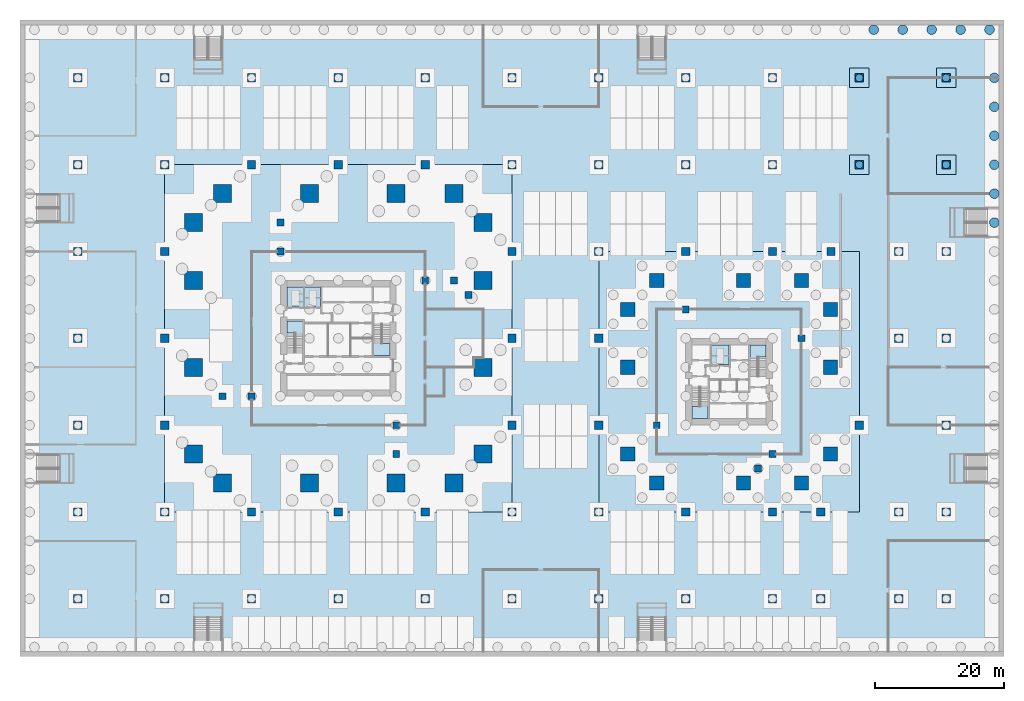
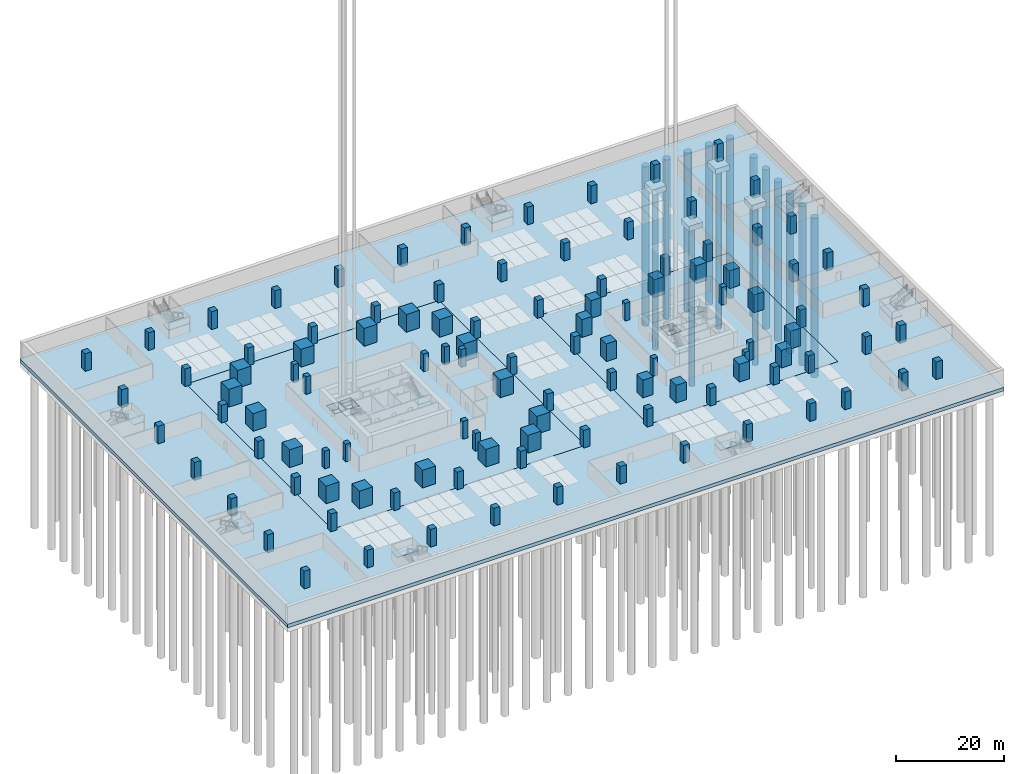
# One storey, part 3 of 40: 109 columns, 18 slabs, 15 piles, 4 footings, 12 elements without a shape of their own.
"""IFC4 building model written with IfcOpenShell, lengths in metres."""

from ifc_helpers import new_model, si_unit, direction, frame, origin, origin_2d, place, context, subcontext, project, spatial, polyline, rectangle, circle, outline, extrude, material, layer, layer_set, material_profile, profile_set, type_object, element, aggregate, save


model = new_model("IFC4")

# Units and contexts
model_context = context("Model", 3, precision=1e-05, world=origin(), true_north=direction((0.0, 1.0)))
body_context = subcontext(model_context, "Body", "Model", "MODEL_VIEW")
ifc_project = project(units=[si_unit("LENGTHUNIT", "METRE"), si_unit("AREAUNIT", "SQUARE_METRE"), si_unit("VOLUMEUNIT", "CUBIC_METRE"), si_unit("PLANEANGLEUNIT", "RADIAN"), si_unit("MASSUNIT", "GRAM", prefix="KILO")], contexts=[model_context])

# Site, building, storey
site_placement = place(None, origin())
site = spatial("IfcSite", under=ifc_project, at=site_placement, CompositionType="ELEMENT")
building_placement = place(site_placement, origin())
building = spatial("IfcBuilding", under=site, at=building_placement, Name="Altepetl Exchange Towers", CompositionType="ELEMENT")
storey_placement = place(building_placement, frame((0.0, 0.0, -8.0)))
storey = spatial("IfcBuildingStorey", under=building, at=storey_placement, Name="B2 Basement parking", CompositionType="ELEMENT", Elevation=-8.0)

# Piles
ifc_material_1 = material(Name="Concrete C35/45", Category="concrete")
ifc_material_profile_1 = material_profile(ifc_material_1, circle(Radius=0.60009765625, at=origin_2d()), Name="D1200")
ifc_profile_set_1 = profile_set([ifc_material_profile_1], Name="Concrete C35/45")
pile_type_1 = type_object("IfcPileType", Name="Bored pile D1200", PredefinedType="BORED", material=ifc_profile_set_1)
for number, where, z_axis, x_axis, name in (
    (1, (130.5, 76.5, -2.0), (0.0, 0.0, -1.0), (1.0, 0.0, 0.0), "pile:P:B2:c13050765-00"),
    (2, (130.5, 90.0, -2.0), (0.0, 0.0, -1.0), (1.0, 0.0, 0.0), "pile:P:B2:c13050900-00"),
    (3, (144.0, 76.5, -2.0), (0.0, 0.0, -1.0), (1.0, 0.0, 0.0), "pile:P:B2:c14400765-00"),
    (4, (144.0, 90.0, -2.0), (0.0, 0.0, -1.0), (1.0, 0.0, 0.0), "pile:P:B2:c14400900-00"),
):
    element("IfcPile", number, at=place(storey_placement, frame(where, z_axis=z_axis, x_axis=x_axis)), inside=storey, type_object=pile_type_1, Name=name, PredefinedType="BORED", context=body_context, shape_type="SweptSolid", body=[
        extrude(circle(Radius=0.60009765625, at=origin_2d()), origin(), (0.0, 0.0, 1.0), 36.0),
    ])
ifc_material_profile_2 = material_profile(ifc_material_1, circle(Radius=0.75, at=origin_2d()), Name="D1500")
ifc_profile_set_2 = profile_set([ifc_material_profile_2], Name="Concrete C35/45")
pile_type_2 = type_object("IfcPileType", Name="Bored pile D1500", PredefinedType="BORED", material=ifc_profile_set_2)
for number, where, z_axis, x_axis, name in (
    (5, (132.75, 97.5, -1.800048828125), (0.0, 0.0, -1.0), (1.0, 0.0, 0.0), "pile:P:B2:wallN-29"),
    (6, (137.25, 97.5, -1.800048828125), (0.0, 0.0, -1.0), (1.0, 0.0, 0.0), "pile:P:B2:wallN-30"),
    (7, (141.75, 97.5, -1.800048828125), (0.0, 0.0, -1.0), (1.0, 0.0, 0.0), "pile:P:B2:wallN-31"),
    (8, (146.25, 97.5, -1.800048828125), (0.0, 0.0, -1.0), (1.0, 0.0, 0.0), "pile:P:B2:wallN-32"),
    (9, (150.75, 97.5, -1.800048828125), (0.0, 0.0, -1.0), (1.0, 0.0, 0.0), "pile:P:B2:wallN-33"),
    (10, (151.5, 67.5, -1.800048828125), (0.0, 0.0, -1.0), (1.0, 0.0, 0.0), "pile:P:B2:wallE-14"),
    (11, (151.5, 72.0, -1.800048828125), (0.0, 0.0, -1.0), (1.0, 0.0, 0.0), "pile:P:B2:wallE-15"),
    (12, (151.5, 76.5, -1.800048828125), (0.0, 0.0, -1.0), (1.0, 0.0, 0.0), "pile:P:B2:wallE-16"),
    (13, (151.5, 81.0, -1.800048828125), (0.0, 0.0, -1.0), (1.0, 0.0, 0.0), "pile:P:B2:wallE-17"),
    (14, (151.5, 85.5, -1.800048828125), (0.0, 0.0, -1.0), (1.0, 0.0, 0.0), "pile:P:B2:wallE-18"),
    (15, (151.5, 90.0, -1.800048828125), (0.0, 0.0, -1.0), (1.0, 0.0, 0.0), "pile:P:B2:wallE-19"),
):
    element("IfcPile", number, at=place(storey_placement, frame(where, z_axis=z_axis, x_axis=x_axis)), inside=storey, type_object=pile_type_2, Name=name, PredefinedType="BORED", context=body_context, shape_type="SweptSolid", body=[
        extrude(circle(Radius=0.75, at=origin_2d()), origin(), (0.0, 0.0, 1.0), 36.0),
    ])

# Footings
ifc_layer_1 = layer(ifc_material_1, 1.199951171875)
ifc_layer_set_1 = layer_set([ifc_layer_1], Name="Concrete C35/45")
footing_type = type_object("IfcFootingType", Name="Pile cap 1200", PredefinedType="PILE_CAP", material=ifc_layer_set_1)
footing_1_placement = place(storey_placement, frame((0.0, 0.0, -2.0)))
element("IfcFooting", 16, at=footing_1_placement, inside=storey, type_object=footing_type, Name="ftg:P:B2:c13050765", PredefinedType="PILE_CAP", context=body_context, shape_type="SweptSolid", body=[
    extrude(outline(polyline([(132.0, 75.0), (132.0, 78.0), (129.0, 78.0), (129.0, 75.0), (132.0, 75.0)])), origin(), (0.0, 0.0, 1.0), 1.199951171875),
])
footing_2_placement = place(storey_placement, frame((0.0, 0.0, -2.0)))
element("IfcFooting", 17, at=footing_2_placement, inside=storey, type_object=footing_type, Name="ftg:P:B2:c13050900", PredefinedType="PILE_CAP", context=body_context, shape_type="SweptSolid", body=[
    extrude(outline(polyline([(132.0, 88.5), (132.0, 91.5), (129.0, 91.5), (129.0, 88.5), (132.0, 88.5)])), origin(), (0.0, 0.0, 1.0), 1.199951171875),
])
footing_3_placement = place(storey_placement, frame((0.0, 0.0, -2.0)))
element("IfcFooting", 18, at=footing_3_placement, inside=storey, type_object=footing_type, Name="ftg:P:B2:c14400765", PredefinedType="PILE_CAP", context=body_context, shape_type="SweptSolid", body=[
    extrude(outline(polyline([(145.5, 75.0), (145.5, 78.0), (142.5, 78.0), (142.5, 75.0), (145.5, 75.0)])), origin(), (0.0, 0.0, 1.0), 1.199951171875),
])
footing_4_placement = place(storey_placement, frame((0.0, 0.0, -2.0)))
element("IfcFooting", 19, at=footing_4_placement, inside=storey, type_object=footing_type, Name="ftg:P:B2:c14400900", PredefinedType="PILE_CAP", context=body_context, shape_type="SweptSolid", body=[
    extrude(outline(polyline([(145.5, 88.5), (145.5, 91.5), (142.5, 91.5), (142.5, 88.5), (145.5, 88.5)])), origin(), (0.0, 0.0, 1.0), 1.199951171875),
])

# Columns
ifc_material_2 = material(Name="Concrete C70/85", Category="concrete")
ifc_material_profile_3 = material_profile(ifc_material_2, rectangle(XDim=1.050048828125, YDim=1.050048828125, at=origin_2d()), Name="1050 x 1050")
ifc_profile_set_3 = profile_set([ifc_material_profile_3], Name="Concrete C70/85")
column_type_1 = type_object("IfcColumnType", Name="Interior column 1050", PredefinedType="COLUMN", material=ifc_profile_set_3)
for number, where, name in (
    (20, (31.5, 40.5, 0.0), "col:A:B2:040"),
    (21, (36.0, 40.5, 0.0), "col:A:B2:041"),
    (22, (40.5, 63.0, 0.0), "col:A:B2:042"),
    (23, (40.5, 67.5, 0.0), "col:A:B2:043"),
    (24, (58.5, 31.5, 0.0), "col:A:B2:044"),
    (25, (58.5, 36.0, 0.0), "col:A:B2:045"),
    (26, (63.0, 58.5, 0.0), "col:A:B2:046"),
    (27, (67.5, 58.5, 0.0), "col:A:B2:047"),
    (28, (69.75, 56.25, 0.0), "col:A:B2:048"),
    (29, (99.0, 36.0, 0.0), "col:B:B2:028"),
    (30, (103.5, 54.0, 0.0), "col:B:B2:029"),
    (31, (114.75, 29.25, 0.0), "col:B:B2:030"),
    (32, (117.0, 31.5, 0.0), "col:B:B2:031"),
    (33, (121.5, 49.5, 0.0), "col:B:B2:032"),
):
    element("IfcColumn", number, at=place(storey_placement, frame(where)), inside=storey, type_object=column_type_1, Name=name, PredefinedType="COLUMN", context=body_context, shape_type="SweptSolid", body=[
        extrude(rectangle(XDim=1.050048828125, YDim=1.050048828125, at=origin_2d()), origin(), (0.0, 0.0, 1.0), 4.0),
    ])
ifc_material_profile_4 = material_profile(ifc_material_2, rectangle(XDim=2.199951171875, YDim=2.199951171875, at=origin_2d()), Name="2200 x 2200")
ifc_profile_set_4 = profile_set([ifc_material_profile_4], Name="Concrete C70/85")
column_type_2 = type_object("IfcColumnType", Name="Mega-column 2200", PredefinedType="COLUMN", material=ifc_profile_set_4)
for number, where, name in (
    (34, (94.5, 31.5, 0.0), "col:B:B2:m00"),
    (35, (94.5, 45.0, 0.0), "col:B:B2:m01"),
    (36, (94.5, 54.0, 0.0), "col:B:B2:m02"),
    (37, (99.0, 27.0, 0.0), "col:B:B2:m03"),
    (38, (99.0, 58.5, 0.0), "col:B:B2:m04"),
    (39, (112.5, 27.0, 0.0), "col:B:B2:m05"),
    (40, (112.5, 58.5, 0.0), "col:B:B2:m06"),
    (41, (121.5, 27.0, 0.0), "col:B:B2:m07"),
    (42, (121.5, 58.5, 0.0), "col:B:B2:m08"),
    (43, (126.0, 31.5, 0.0), "col:B:B2:m09"),
    (44, (126.0, 45.0, 0.0), "col:B:B2:m10"),
    (45, (126.0, 54.0, 0.0), "col:B:B2:m11"),
):
    element("IfcColumn", number, at=place(storey_placement, frame(where)), inside=storey, type_object=column_type_2, Name=name, PredefinedType="COLUMN", context=body_context, shape_type="SweptSolid", body=[
        extrude(rectangle(XDim=2.199951171875, YDim=2.199951171875, at=origin_2d()), origin(), (0.0, 0.0, 1.0), 4.0),
    ])
ifc_material_profile_5 = material_profile(ifc_material_2, rectangle(XDim=2.800048828125, YDim=2.800048828125, at=origin_2d()), Name="2800 x 2800")
ifc_profile_set_5 = profile_set([ifc_material_profile_5], Name="Concrete C70/85")
column_type_3 = type_object("IfcColumnType", Name="Mega-column 2800", PredefinedType="COLUMN", material=ifc_profile_set_5)
for number, where, name in (
    (46, (27.0, 31.5, 0.0), "col:A:B2:m00"),
    (47, (27.0, 45.0, 0.0), "col:A:B2:m01"),
    (48, (27.0, 58.5, 0.0), "col:A:B2:m02"),
    (49, (27.0, 67.5, 0.0), "col:A:B2:m03"),
    (50, (31.5, 27.0, 0.0), "col:A:B2:m04"),
    (51, (31.5, 72.0, 0.0), "col:A:B2:m05"),
    (52, (45.0, 27.0, 0.0), "col:A:B2:m06"),
    (53, (45.0, 72.0, 0.0), "col:A:B2:m07"),
    (54, (58.5, 27.0, 0.0), "col:A:B2:m08"),
    (55, (58.5, 72.0, 0.0), "col:A:B2:m09"),
    (56, (67.5, 27.0, 0.0), "col:A:B2:m10"),
    (57, (67.5, 72.0, 0.0), "col:A:B2:m11"),
    (58, (72.0, 31.5, 0.0), "col:A:B2:m12"),
    (59, (72.0, 45.0, 0.0), "col:A:B2:m13"),
    (60, (72.0, 58.5, 0.0), "col:A:B2:m14"),
    (61, (72.0, 67.5, 0.0), "col:A:B2:m15"),
):
    element("IfcColumn", number, at=place(storey_placement, frame(where)), inside=storey, type_object=column_type_3, Name=name, PredefinedType="COLUMN", context=body_context, shape_type="SweptSolid", body=[
        extrude(rectangle(XDim=2.800048828125, YDim=2.800048828125, at=origin_2d()), origin(), (0.0, 0.0, 1.0), 4.0),
    ])
ifc_material_profile_6 = material_profile(ifc_material_2, rectangle(XDim=1.300048828125, YDim=1.300048828125, at=origin_2d()), Name="1300 x 1300")
ifc_profile_set_6 = profile_set([ifc_material_profile_6], Name="Concrete C70/85")
column_type_4 = type_object("IfcColumnType", Name="Podium column 1300", PredefinedType="COLUMN", material=ifc_profile_set_6)
for number, where, name in (
    (62, (9.0, 9.0, 0.0), "col:P:B2:000"),
    (63, (9.0, 22.5, 0.0), "col:P:B2:001"),
    (64, (9.0, 36.0, 0.0), "col:P:B2:002"),
    (65, (9.0, 49.5, 0.0), "col:P:B2:003"),
    (66, (9.0, 63.0, 0.0), "col:P:B2:004"),
    (67, (9.0, 76.5, 0.0), "col:P:B2:005"),
    (68, (9.0, 90.0, 0.0), "col:P:B2:006"),
    (69, (22.5, 9.0, 0.0), "col:P:B2:007"),
    (70, (22.5, 22.5, 0.0), "col:P:B2:008"),
    (71, (22.5, 36.0, 0.0), "col:P:B2:009"),
    (72, (22.5, 49.5, 0.0), "col:P:B2:010"),
    (73, (22.5, 63.0, 0.0), "col:P:B2:011"),
    (74, (22.5, 76.5, 0.0), "col:P:B2:012"),
    (75, (22.5, 90.0, 0.0), "col:P:B2:013"),
    (76, (36.0, 9.0, 0.0), "col:P:B2:014"),
    (77, (36.0, 22.5, 0.0), "col:P:B2:015"),
    (78, (36.0, 76.5, 0.0), "col:P:B2:016"),
    (79, (36.0, 90.0, 0.0), "col:P:B2:017"),
    (80, (49.5, 9.0, 0.0), "col:P:B2:018"),
    (81, (49.5, 22.5, 0.0), "col:P:B2:019"),
    (82, (49.5, 76.5, 0.0), "col:P:B2:020"),
    (83, (49.5, 90.0, 0.0), "col:P:B2:021"),
    (84, (63.0, 9.0, 0.0), "col:P:B2:022"),
    (85, (63.0, 22.5, 0.0), "col:P:B2:023"),
    (86, (63.0, 76.5, 0.0), "col:P:B2:024"),
    (87, (63.0, 90.0, 0.0), "col:P:B2:025"),
    (88, (76.5, 9.0, 0.0), "col:P:B2:026"),
    (89, (76.5, 22.5, 0.0), "col:P:B2:027"),
    (90, (76.5, 36.0, 0.0), "col:P:B2:028"),
    (91, (76.5, 49.5, 0.0), "col:P:B2:029"),
    (92, (76.5, 63.0, 0.0), "col:P:B2:030"),
    (93, (76.5, 76.5, 0.0), "col:P:B2:031"),
    (94, (76.5, 90.0, 0.0), "col:P:B2:032"),
    (95, (90.0, 9.0, 0.0), "col:P:B2:033"),
    (96, (90.0, 22.5, 0.0), "col:P:B2:034"),
    (97, (90.0, 36.0, 0.0), "col:P:B2:035"),
    (98, (90.0, 49.5, 0.0), "col:P:B2:036"),
    (99, (90.0, 63.0, 0.0), "col:P:B2:037"),
    (100, (90.0, 76.5, 0.0), "col:P:B2:038"),
    (101, (90.0, 90.0, 0.0), "col:P:B2:039"),
    (102, (103.5, 9.0, 0.0), "col:P:B2:040"),
    (103, (103.5, 22.5, 0.0), "col:P:B2:041"),
    (104, (103.5, 63.0, 0.0), "col:P:B2:042"),
    (105, (103.5, 76.5, 0.0), "col:P:B2:043"),
    (106, (103.5, 90.0, 0.0), "col:P:B2:044"),
    (107, (117.0, 9.0, 0.0), "col:P:B2:045"),
    (108, (117.0, 22.5, 0.0), "col:P:B2:046"),
    (109, (117.0, 63.0, 0.0), "col:P:B2:047"),
    (110, (117.0, 76.5, 0.0), "col:P:B2:048"),
    (111, (117.0, 90.0, 0.0), "col:P:B2:049"),
    (112, (124.5, 9.0, 0.0), "col:P:B2:050"),
    (113, (124.5, 22.5, 0.0), "col:P:B2:051"),
    (114, (126.10009765625, 63.0, 0.0), "col:P:B2:052"),
    (115, (130.5, 36.0, 0.0), "col:P:B2:053"),
    (116, (130.5, 76.5, 0.0), "col:P:B2:054"),
    (117, (130.5, 90.0, 0.0), "col:P:B2:055"),
    (118, (136.64990234375, 9.0, 0.0), "col:P:B2:056"),
    (119, (136.64990234375, 22.5, 0.0), "col:P:B2:057"),
    (120, (136.64990234375, 49.5, 0.0), "col:P:B2:058"),
    (121, (136.64990234375, 63.0, 0.0), "col:P:B2:059"),
    (122, (144.0, 9.0, 0.0), "col:P:B2:060"),
    (123, (144.0, 22.5, 0.0), "col:P:B2:061"),
    (124, (144.0, 36.0, 0.0), "col:P:B2:062"),
    (125, (144.0, 49.5, 0.0), "col:P:B2:063"),
    (126, (144.0, 63.0, 0.0), "col:P:B2:064"),
    (127, (144.0, 76.5, 0.0), "col:P:B2:065"),
    (128, (144.0, 90.0, 0.0), "col:P:B2:066"),
):
    element("IfcColumn", number, at=place(storey_placement, frame(where)), inside=storey, type_object=column_type_4, Name=name, PredefinedType="COLUMN", context=body_context, shape_type="SweptSolid", body=[
        extrude(rectangle(XDim=1.300048828125, YDim=1.300048828125, at=origin_2d()), origin(), (0.0, 0.0, 1.0), 4.0),
    ])

# Slabs
ifc_material_3 = material(Name="Concrete C40/50", Category="concrete")
ifc_layer_2 = layer(ifc_material_3, 0.199951171875)
ifc_layer_set_2 = layer_set([ifc_layer_2], Name="Concrete C40/50")
slab_type_1 = type_object("IfcSlabType", Name="Lift pit slab 200", PredefinedType="FLOOR", material=ifc_layer_set_2)
slab_1_placement = place(storey_placement, frame((0.0, 0.0, -1.800048828125)))
element("IfcSlab", 129, at=slab_1_placement, inside=storey, type_object=slab_type_1, Name="slab:A:B2:pit-A-FFL1", PredefinedType="FLOOR", context=body_context, shape_type="SweptSolid", body=[
    extrude(outline(polyline([(44.06689453125, 54.39990234375), (44.06689453125, 57.5), (41.5, 57.5), (41.5, 54.39990234375), (44.06689453125, 54.39990234375)])), origin(), (0.0, 0.0, 1.0), 0.199951171875),
])
slab_2_placement = place(storey_placement, frame((0.0, 0.0, -1.800048828125)))
element("IfcSlab", 130, at=slab_2_placement, inside=storey, type_object=slab_type_1, Name="slab:A:B2:pit-A-FFL2", PredefinedType="FLOOR", context=body_context, shape_type="SweptSolid", body=[
    extrude(outline(polyline([(46.73291015625, 54.39990234375), (46.73291015625, 57.5), (44.26708984375, 57.5), (44.26708984375, 54.39990234375), (46.73291015625, 54.39990234375)])), origin(), (0.0, 0.0, 1.0), 0.199951171875),
])
slab_3_placement = place(storey_placement, frame((0.0, 0.0, -1.800048828125)))
element("IfcSlab", 131, at=slab_3_placement, inside=storey, type_object=slab_type_1, Name="slab:B:B2:pit-B-FFL1", PredefinedType="FLOOR", context=body_context, shape_type="SweptSolid", body=[
    extrude(outline(polyline([(110.26708984375, 45.39990234375), (110.26708984375, 48.5), (107.532958984375, 48.5), (107.532958984375, 45.39990234375), (110.26708984375, 45.39990234375)])), origin(), (0.0, 0.0, 1.0), 0.199951171875),
])
ifc_layer_3 = layer(ifc_material_3, 1.5)
ifc_layer_set_3 = layer_set([ifc_layer_3], Name="Concrete C40/50")
slab_type_2 = type_object("IfcSlabType", Name="Raft slab 1500", PredefinedType="BASESLAB", material=ifc_layer_set_3)
slab_4_placement = place(storey_placement, frame((0.0, 0.0, -1.5)))
element("IfcSlab", 132, at=slab_4_placement, inside=storey, type_object=slab_type_2, Name="slab:B:B2:raft0", PredefinedType="BASESLAB", context=body_context, shape_type="SweptSolid", body=[
    extrude(outline(polyline([(90.0, 22.5), (130.5, 22.5), (130.5, 63.0), (90.0, 63.0), (90.0, 22.5)]), holes=[polyline([(110.26708984375, 48.5), (110.26708984375, 45.39990234375), (107.532958984375, 45.39990234375), (107.532958984375, 48.5), (110.26708984375, 48.5)])]), origin(), (0.0, 0.0, 1.0), 1.5),
])
ifc_layer_4 = layer(ifc_material_3, 1.800048828125)
ifc_layer_set_4 = layer_set([ifc_layer_4], Name="Concrete C40/50")
slab_type_3 = type_object("IfcSlabType", Name="Raft slab 1800", PredefinedType="BASESLAB", material=ifc_layer_set_4)
slab_5_placement = place(storey_placement, frame((0.0, 0.0, -1.800048828125)))
element("IfcSlab", 133, at=slab_5_placement, inside=storey, type_object=slab_type_3, Name="slab:A:B2:raft0", PredefinedType="BASESLAB", context=body_context, shape_type="SweptSolid", body=[
    extrude(outline(polyline([(22.5, 22.5), (76.5, 22.5), (76.5, 76.5), (22.5, 76.5), (22.5, 22.5)]), holes=[polyline([(44.06689453125, 54.39990234375), (41.5, 54.39990234375), (41.5, 57.5), (44.06689453125, 57.5), (44.06689453125, 54.39990234375)]), polyline([(46.73291015625, 54.39990234375), (44.26708984375, 54.39990234375), (44.26708984375, 57.5), (46.73291015625, 57.5), (46.73291015625, 54.39990234375)])]), origin(), (0.0, 0.0, 1.0), 1.800048828125),
])
ifc_layer_5 = layer(ifc_material_3, 0.800048828125)
ifc_layer_set_5 = layer_set([ifc_layer_5], Name="Concrete C40/50")
slab_type_4 = type_object("IfcSlabType", Name="Raft slab 800", PredefinedType="BASESLAB", material=ifc_layer_set_5)
slab_6_placement = place(storey_placement, frame((0.0, 0.0, -0.800048828125)))
element("IfcSlab", 134, at=slab_6_placement, inside=storey, type_object=slab_type_4, Name="slab:P:B2:raft0", PredefinedType="BASESLAB", context=body_context, shape_type="SweptSolid", body=[
    extrude(outline(polyline([(0.0, 0.0), (153.0, 0.0), (153.0, 99.0), (0.0, 99.0), (0.0, 0.0)]), holes=[polyline([(130.5, 22.5), (90.0, 22.5), (90.0, 63.0), (130.5, 63.0), (130.5, 22.5)]), polyline([(76.5, 22.5), (22.5, 22.5), (22.5, 76.5), (76.5, 76.5), (76.5, 22.5)])]), origin(), (0.0, 0.0, 1.0), 0.800048828125),
])

# Stair, slab
ifc_material_4 = material(Name="Reinforced concrete C35/45", Category="concrete")
stair_type_1 = type_object("IfcStairType", Name="Exit half-turn stair 2025", PredefinedType="HALF_TURN_STAIR", material=ifc_material_4)
stair_1_placement = place(storey_placement, origin())
stair_1 = element("IfcStair", 135, at=stair_1_placement, inside=storey, type_object=stair_type_1, Name="ST-P1 stair", PredefinedType="HALF_TURN_STAIR")
ifc_layer_6 = layer(ifc_material_4, 0.199951171875)
ifc_layer_set_6 = layer_set([ifc_layer_6], Name="Reinforced concrete C35/45")
slab_type_5 = type_object("IfcSlabType", Name="Stair landing 200", PredefinedType="LANDING", material=ifc_layer_set_6)
slab_7_placement = place(storey_placement, frame((0.0, 0.0, 1.800048828125)))
slab_7 = element("IfcSlab", 136, at=slab_7_placement, type_object=slab_type_5, Name="ST-P1 landing 1", PredefinedType="LANDING", context=body_context, shape_type="SweptSolid", body=[
    extrude(outline(polyline([(27.0, 6.1201171875), (31.5, 6.1201171875), (31.5, 8.300048828125), (27.0, 8.300048828125), (27.0, 6.1201171875)])), origin(), (0.0, 0.0, 1.0), 0.199951171875),
])
aggregate(stair_1, [slab_7])

stair_2_placement = place(storey_placement, origin())
stair_2 = element("IfcStair", 137, at=stair_2_placement, inside=storey, type_object=stair_type_1, Name="ST-P2 stair", PredefinedType="HALF_TURN_STAIR")
slab_8_placement = place(storey_placement, frame((0.0, 0.0, 1.800048828125)))
slab_8 = element("IfcSlab", 138, at=slab_8_placement, type_object=slab_type_5, Name="ST-P2 landing 1", PredefinedType="LANDING", context=body_context, shape_type="SweptSolid", body=[
    extrude(outline(polyline([(96.0, 6.1201171875), (100.5, 6.1201171875), (100.5, 8.300048828125), (96.0, 8.300048828125), (96.0, 6.1201171875)])), origin(), (0.0, 0.0, 1.0), 0.199951171875),
])
aggregate(stair_2, [slab_8])

stair_3_placement = place(storey_placement, origin())
stair_3 = element("IfcStair", 139, at=stair_3_placement, inside=storey, type_object=stair_type_1, Name="ST-P3 stair", PredefinedType="HALF_TURN_STAIR")
slab_9_placement = place(storey_placement, frame((0.0, 0.0, 1.800048828125)))
slab_9 = element("IfcSlab", 140, at=slab_9_placement, type_object=slab_type_5, Name="ST-P3 landing 1", PredefinedType="LANDING", context=body_context, shape_type="SweptSolid", body=[
    extrude(outline(polyline([(6.1201171875, 31.5), (6.1201171875, 27.0), (8.300048828125, 27.0), (8.300048828125, 31.5), (6.1201171875, 31.5)])), origin(), (0.0, 0.0, 1.0), 0.199951171875),
])
aggregate(stair_3, [slab_9])

stair_4_placement = place(storey_placement, origin())
stair_4 = element("IfcStair", 141, at=stair_4_placement, inside=storey, type_object=stair_type_1, Name="ST-P4 stair", PredefinedType="HALF_TURN_STAIR")
slab_10_placement = place(storey_placement, frame((0.0, 0.0, 1.800048828125)))
slab_10 = element("IfcSlab", 142, at=slab_10_placement, type_object=slab_type_5, Name="ST-P4 landing 1", PredefinedType="LANDING", context=body_context, shape_type="SweptSolid", body=[
    extrude(outline(polyline([(6.1201171875, 72.0), (6.1201171875, 67.5), (8.300048828125, 67.5), (8.300048828125, 72.0), (6.1201171875, 72.0)])), origin(), (0.0, 0.0, 1.0), 0.199951171875),
])
aggregate(stair_4, [slab_10])

stair_5_placement = place(storey_placement, origin())
stair_5 = element("IfcStair", 143, at=stair_5_placement, inside=storey, type_object=stair_type_1, Name="ST-P5 stair", PredefinedType="HALF_TURN_STAIR")
slab_11_placement = place(storey_placement, frame((0.0, 0.0, 1.800048828125)))
slab_11 = element("IfcSlab", 144, at=slab_11_placement, type_object=slab_type_5, Name="ST-P5 landing 1", PredefinedType="LANDING", context=body_context, shape_type="SweptSolid", body=[
    extrude(outline(polyline([(31.5, 92.8798828125), (27.0, 92.8798828125), (27.0, 90.699951171875), (31.5, 90.699951171875), (31.5, 92.8798828125)])), origin(), (0.0, 0.0, 1.0), 0.199951171875),
])
aggregate(stair_5, [slab_11])

stair_6_placement = place(storey_placement, origin())
stair_6 = element("IfcStair", 145, at=stair_6_placement, inside=storey, type_object=stair_type_1, Name="ST-P6 stair", PredefinedType="HALF_TURN_STAIR")
slab_12_placement = place(storey_placement, frame((0.0, 0.0, 1.800048828125)))
slab_12 = element("IfcSlab", 146, at=slab_12_placement, type_object=slab_type_5, Name="ST-P6 landing 1", PredefinedType="LANDING", context=body_context, shape_type="SweptSolid", body=[
    extrude(outline(polyline([(100.5, 92.8798828125), (96.0, 92.8798828125), (96.0, 90.699951171875), (100.5, 90.699951171875), (100.5, 92.8798828125)])), origin(), (0.0, 0.0, 1.0), 0.199951171875),
])
aggregate(stair_6, [slab_12])

stair_7_placement = place(storey_placement, origin())
stair_7 = element("IfcStair", 147, at=stair_7_placement, inside=storey, type_object=stair_type_1, Name="ST-P7 stair", PredefinedType="HALF_TURN_STAIR")
slab_13_placement = place(storey_placement, frame((0.0, 0.0, 1.800048828125)))
slab_13 = element("IfcSlab", 148, at=slab_13_placement, type_object=slab_type_5, Name="ST-P7 landing 1", PredefinedType="LANDING", context=body_context, shape_type="SweptSolid", body=[
    extrude(outline(polyline([(146.8798828125, 27.0), (146.8798828125, 31.5), (144.60009765625, 31.5), (144.60009765625, 27.0), (146.8798828125, 27.0)])), origin(), (0.0, 0.0, 1.0), 0.199951171875),
])
aggregate(stair_7, [slab_13])

stair_8_placement = place(storey_placement, origin())
stair_8 = element("IfcStair", 149, at=stair_8_placement, inside=storey, type_object=stair_type_1, Name="ST-P8 stair", PredefinedType="HALF_TURN_STAIR")
slab_14_placement = place(storey_placement, frame((0.0, 0.0, 1.800048828125)))
slab_14 = element("IfcSlab", 150, at=slab_14_placement, type_object=slab_type_5, Name="ST-P8 landing 1", PredefinedType="LANDING", context=body_context, shape_type="SweptSolid", body=[
    extrude(outline(polyline([(146.8798828125, 65.25), (146.8798828125, 69.75), (144.60009765625, 69.75), (144.60009765625, 65.25), (146.8798828125, 65.25)])), origin(), (0.0, 0.0, 1.0), 0.199951171875),
])
aggregate(stair_8, [slab_14])

stair_type_2 = type_object("IfcStairType", Name="Exit stair 1200 flights dogleg", PredefinedType="HALF_TURN_STAIR", material=ifc_material_3)
stair_9_placement = place(storey_placement, origin())
stair_9 = element("IfcStair", 151, at=stair_9_placement, inside=storey, type_object=stair_type_2, Name="Exit stair 1", PredefinedType="HALF_TURN_STAIR")
ifc_layer_7 = layer(ifc_material_3, 0.199951171875)
ifc_layer_set_7 = layer_set([ifc_layer_7], Name="Concrete C40/50")
slab_type_6 = type_object("IfcSlabType", Name="Stair landing 200 reinforced concrete", PredefinedType="LANDING", material=ifc_layer_set_7)
slab_15_placement = place(storey_placement, frame((0.0, 0.0, 1.800048828125)))
slab_15 = element("IfcSlab", 152, at=slab_15_placement, type_object=slab_type_6, Name="ST-A1a landing 1", PredefinedType="LANDING", context=body_context, shape_type="SweptSolid", body=[
    extrude(outline(polyline([(44.0, 50.22998046875), (42.800048828125, 50.22998046875), (42.800048828125, 50.330078125), (42.699951171875, 50.330078125), (42.699951171875, 50.329345703125), (41.5, 50.329345703125), (41.5, 50.330078125), (41.5, 52.199951171875), (44.0, 52.199951171875), (44.0, 50.330078125), (44.0, 50.22998046875)])), origin(), (0.0, 0.0, 1.0), 0.199951171875),
])
aggregate(stair_9, [slab_15])

stair_10_placement = place(storey_placement, origin())
stair_10 = element("IfcStair", 153, at=stair_10_placement, inside=storey, type_object=stair_type_2, Name="Exit stair 2", PredefinedType="HALF_TURN_STAIR")
slab_16_placement = place(storey_placement, frame((0.0, 0.0, 1.800048828125)))
slab_16 = element("IfcSlab", 154, at=slab_16_placement, type_object=slab_type_6, Name="ST-A2a landing 1", PredefinedType="LANDING", context=body_context, shape_type="SweptSolid", body=[
    extrude(outline(polyline([(57.5, 46.800048828125), (55.0, 46.800048828125), (55.0, 48.669921875), (55.0, 48.77001953125), (56.199951171875, 48.77001953125), (56.199951171875, 48.669921875), (56.300048828125, 48.669921875), (56.300048828125, 48.670654296875), (57.5, 48.670654296875), (57.5, 48.669921875), (57.5, 46.800048828125)])), origin(), (0.0, 0.0, 1.0), 0.199951171875),
])
aggregate(stair_10, [slab_16])

stair_11_placement = place(storey_placement, origin())
stair_11 = element("IfcStair", 155, at=stair_11_placement, inside=storey, type_object=stair_type_2, Name="Exit stair 1", PredefinedType="HALF_TURN_STAIR")
slab_17_placement = place(storey_placement, frame((0.0, 0.0, 1.800048828125)))
slab_17 = element("IfcSlab", 156, at=slab_17_placement, type_object=slab_type_6, Name="ST-B1a landing 1", PredefinedType="LANDING", context=body_context, shape_type="SweptSolid", body=[
    extrude(outline(polyline([(107.0, 37.0), (104.5, 37.0), (104.5, 38.8701171875), (104.5, 38.87060546875), (105.699951171875, 38.87060546875), (105.699951171875, 38.8701171875), (105.800048828125, 38.8701171875), (105.800048828125, 38.969970703125), (107.0, 38.969970703125), (107.0, 38.8701171875), (107.0, 37.0)])), origin(), (0.0, 0.0, 1.0), 0.199951171875),
])
aggregate(stair_11, [slab_17])

stair_12_placement = place(storey_placement, origin())
stair_12 = element("IfcStair", 157, at=stair_12_placement, inside=storey, type_object=stair_type_2, Name="Exit stair 2", PredefinedType="HALF_TURN_STAIR")
slab_18_placement = place(storey_placement, frame((0.0, 0.0, 1.800048828125)))
slab_18 = element("IfcSlab", 158, at=slab_18_placement, type_object=slab_type_6, Name="ST-B2a landing 1", PredefinedType="LANDING", context=body_context, shape_type="SweptSolid", body=[
    extrude(outline(polyline([(114.699951171875, 46.530029296875), (113.5, 46.530029296875), (113.5, 46.6298828125), (113.5, 48.5), (116.0, 48.5), (116.0, 46.6298828125), (116.0, 46.62939453125), (114.800048828125, 46.62939453125), (114.800048828125, 46.6298828125), (114.699951171875, 46.6298828125), (114.699951171875, 46.530029296875)])), origin(), (0.0, 0.0, 1.0), 0.199951171875),
])
aggregate(stair_12, [slab_18])

save(model, "model.ifc")
